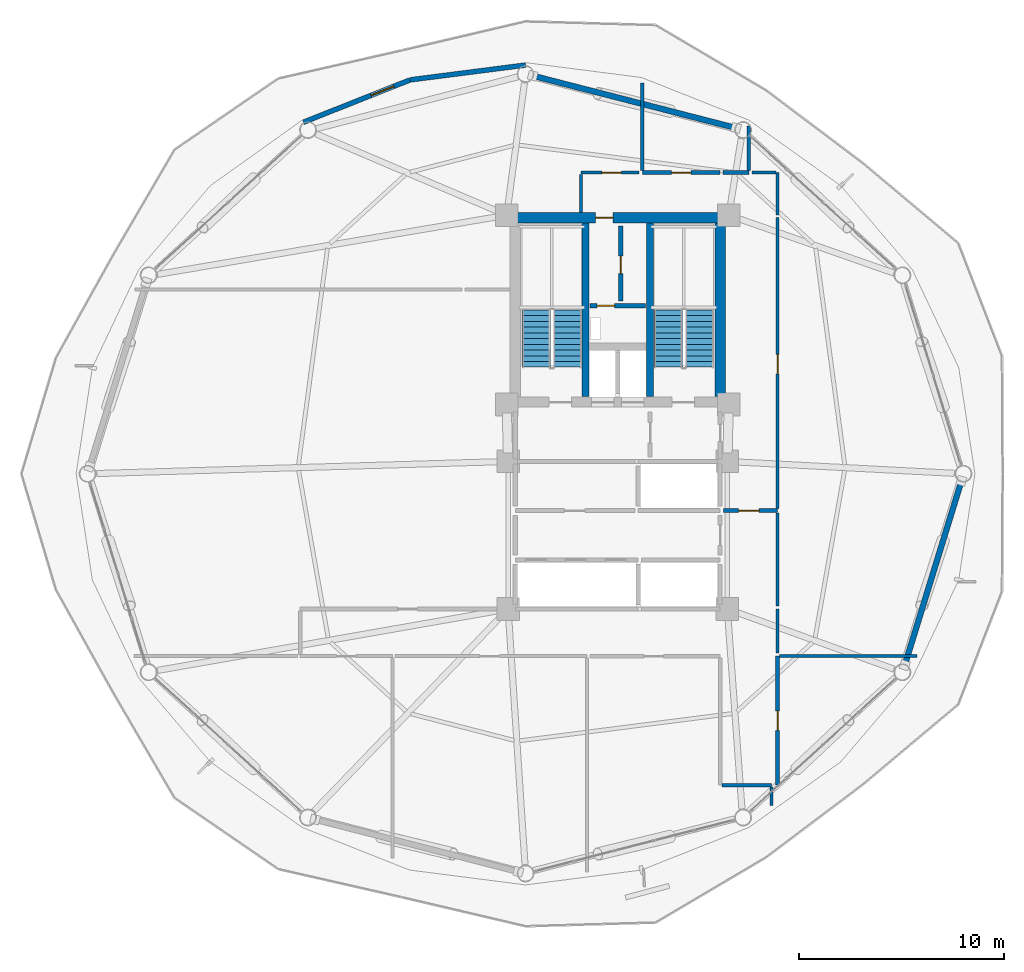
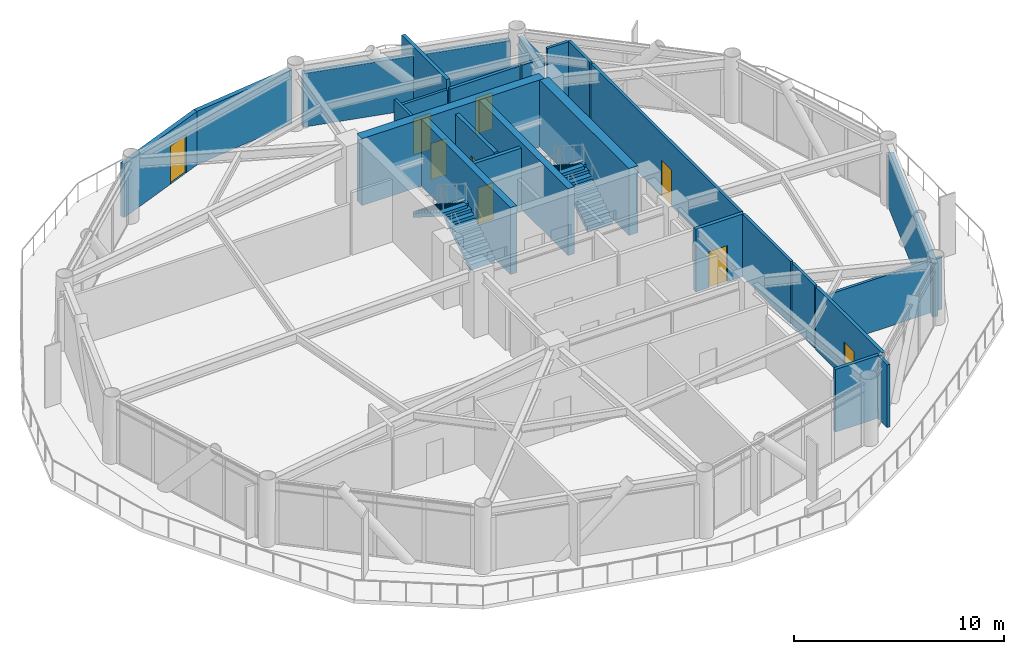
# One storey, part 20 of 23: 26 walls, 9 doors, 4 stair flights, 9 openings, 2 elements without a shape of their own.
"""IFC4 building model written with IfcOpenShell, lengths in metres."""

from ifc_helpers import new_model, si_unit, direction, frame, frame_2d, origin, place, context, subcontext, project, spatial, polyline, rectangle, outline, extrude, material, layer, layer_set, type_object, element, fill, aggregate, save


model = new_model("IFC4")

# Units and contexts
model_context = context("Model", 3, precision=1e-05, world=origin(), true_north=direction((0.0, 1.0)))
body_context = subcontext(model_context, "Body", "Model", "MODEL_VIEW")
ifc_project = project(units=[si_unit("LENGTHUNIT", "METRE"), si_unit("AREAUNIT", "SQUARE_METRE"), si_unit("VOLUMEUNIT", "CUBIC_METRE"), si_unit("PLANEANGLEUNIT", "RADIAN"), si_unit("MASSUNIT", "GRAM", prefix="KILO")], contexts=[model_context])

# Site, building, storey
site_placement = place(None, origin())
site = spatial("IfcSite", under=ifc_project, at=site_placement, CompositionType="ELEMENT")
building_placement = place(site_placement, origin())
building = spatial("IfcBuilding", under=site, at=building_placement, Name="Varnakorn Sky Granary", CompositionType="ELEMENT")
storey_placement = place(building_placement, frame((0.0, 0.0, 114.89990234375)))
storey = spatial("IfcBuildingStorey", under=building, at=storey_placement, Name="L28", CompositionType="ELEMENT", Elevation=114.89990234375)

# Walls
ifc_material_1 = material(Name="Concrete C50/60", Category="concrete")
ifc_layer_1 = layer(ifc_material_1, 0.35009765625, Name="Concrete C50/60")
ifc_layer_set_1 = layer_set([ifc_layer_1], Name="Concrete C50/60")
wall_type_1 = type_object("IfcWallType", Name="WT-CW-INT-350", PredefinedType="SHEAR", material=ifc_layer_set_1)
for number, where, z_axis, x_axis, name in (
    (1, (1.419921875, 3.760009765625, 0.0), (0.0, 0.0, 1.0), (0.0, 1.0, 0.0), "Stair ST-1 Core Wall L28"),
    (2, (4.580078125, 3.760009765625, 0.0), (0.0, 0.0, 1.0), (0.0, 1.0, 0.0), "Stair ST-2 Core Wall L28"),
):
    element("IfcWall", number, at=place(storey_placement, frame(where, z_axis=z_axis, x_axis=x_axis)), inside=storey, type_object=wall_type_1, Name=name, PredefinedType="SHEAR", context=body_context, shape_type="SweptSolid", body=[
        extrude(rectangle(XDim=8.47998046875, YDim=0.35009765625, at=frame_2d((4.239990234375, 0.0))), origin(), (0.0, 0.0, 1.0), 3.89208984375),
    ])

# Wall, opening, door
ifc_material_2 = material(Name="Concrete C60/75", Category="concrete")
ifc_layer_2 = layer(ifc_material_2, 0.5, Name="Concrete C60/75")
ifc_layer_set_2 = layer_set([ifc_layer_2], Name="Concrete C60/75")
wall_type_2 = type_object("IfcWallType", Name="WT-CW-SHEAR-500", PredefinedType="SHEAR", material=ifc_layer_set_2)
wall_1_placement = place(storey_placement, frame((-2.0, 12.5, 0.0), z_axis=(0.0, 0.0, 1.0), x_axis=(1.0, 0.0, 0.0)))
wall_1 = element("IfcWall", 3, at=wall_1_placement, inside=storey, type_object=wall_type_2, Name="Core North Shear Wall L28", PredefinedType="SHEAR", context=body_context, shape_type="SweptSolid", body=[
    extrude(rectangle(XDim=10.0, YDim=0.5, at=frame_2d((5.0, 0.0))), origin(), (0.0, 0.0, 1.0), 3.89208984375),
])
opening_1_placement = place(wall_1_placement, frame((3.919921875, 0.0, 0.0)))
opening_1 = element("IfcOpeningElement", 4, at=opening_1_placement, cuts=wall_1, Name="Opening FD-60N", PredefinedType="OPENING", context=body_context, shape_type="SweptSolid", body=[
    extrude(rectangle(XDim=0.85009765625, YDim=2.10009765625, at=frame_2d((0.425048828125, 1.050048828125))), frame((0.0, 0.260009765625, 0.0), z_axis=(0.0, -1.0, 0.0), x_axis=(1.0, 0.0, 0.0)), (0.0, 0.0, 1.0), 0.52001953125),
])
ifc_material_3 = material(Name="Acoustic Timber Fire Leaf", Category="wood")
door_type_1 = type_object("IfcDoorType", Name="DR-FD60-850", OperationType="NOTDEFINED", PredefinedType="DOOR", material=ifc_material_3)
door_1_placement = place(opening_1_placement, origin())
door_1 = element("IfcDoor", 5, at=door_1_placement, inside=storey, type_object=door_type_1, Name="Core North Service Door L28", OperationType="SINGLE_SWING_RIGHT", OverallHeight=2.10009765625, OverallWidth=0.85009765625, PredefinedType="DOOR", context=body_context, shape_type="SweptSolid", body=[
    extrude(rectangle(XDim=0.85009765625, YDim=2.10009765625, at=frame_2d((0.425048828125, 1.050048828125))), frame((0.0, 0.02490234375, 0.0), z_axis=(0.0, -1.0, 0.0), x_axis=(1.0, 0.0, 0.0)), (0.0, 0.0, 1.0), 0.050048828125),
])
fill(opening_1, door_1)

# Walls
wall_2_placement = place(storey_placement, frame((8.0, 3.760009765625, 0.0), z_axis=(0.0, 0.0, 1.0), x_axis=(0.0, 1.0, 0.0)))
element("IfcWall", 6, at=wall_2_placement, inside=storey, type_object=wall_type_2, Name="Core East Shear Wall L28", PredefinedType="SHEAR", context=body_context, shape_type="SweptSolid", body=[
    extrude(rectangle(XDim=8.47998046875, YDim=0.5, at=frame_2d((4.239990234375, 0.0))), origin(), (0.0, 0.0, 1.0), 3.89208984375),
])
ifc_material_4 = material(Name="Precast concrete C40/50", Category="concrete")
ifc_layer_3 = layer(ifc_material_4, 0.239990234375, Name="Precast concrete C40/50")
ifc_layer_set_3 = layer_set([ifc_layer_3], Name="Precast concrete C40/50")
wall_type_3 = type_object("IfcWallType", Name="WT-EW-BAL-260", PredefinedType="SOLIDWALL", material=ifc_layer_set_3)
wall_3_placement = place(storey_placement, frame((-7.134033203125, 19.223876953125, 0.0), z_axis=(0.0, 0.0, 1.0), x_axis=(0.991863166432, 0.12730851926, 0.0)))
element("IfcWall", 7, at=wall_3_placement, inside=storey, type_object=wall_type_3, Name="Balcony Threshold Facade Wall L28-B04A", PredefinedType="SOLIDWALL", context=body_context, shape_type="SweptSolid", body=[
    extrude(rectangle(XDim=5.68017578125, YDim=0.239990234375, at=frame_2d((2.840087890625, 0.0))), origin(), (0.0, 0.0, 1.0), 3.110107421875),
])

# Wall, opening, door
wall_4_placement = place(storey_placement, frame((-12.339111328125, 17.15771484375, 0.0), z_axis=(0.0, 0.0, 1.0), x_axis=(0.929450612098, 0.368946553949, 0.0)))
wall_4 = element("IfcWall", 8, at=wall_4_placement, inside=storey, type_object=wall_type_3, Name="Balcony Return Facade Wall L28-B04B", PredefinedType="SOLIDWALL", context=body_context, shape_type="SweptSolid", body=[
    extrude(rectangle(XDim=5.60009765625, YDim=0.239990234375, at=frame_2d((2.800048828125, 0.0))), origin(), (0.0, 0.0, 1.0), 3.110107421875),
])
opening_2_placement = place(wall_4_placement, frame((3.550048828125, 0.0, 0.0)))
opening_2 = element("IfcOpeningElement", 9, at=opening_2_placement, cuts=wall_4, Name="Opening BD-01", PredefinedType="OPENING", context=body_context, shape_type="SweptSolid", body=[
    extrude(rectangle(XDim=1.199951171875, YDim=2.199951171875, at=frame_2d((0.60009765625, 1.10009765625))), frame((0.0, 0.1298828125, 0.0), z_axis=(0.0, -1.0, 0.0), x_axis=(1.0, 0.0, 0.0)), (0.0, 0.0, 1.0), 0.260009765625),
])
ifc_material_5 = material(Name="Anodised Bronze Aluminium Alloy 6063-T6", Category="aluminium")
door_type_2 = type_object("IfcDoorType", Name="DR-BAL-1200", OperationType="NOTDEFINED", PredefinedType="DOOR", material=ifc_material_5)
door_2_placement = place(opening_2_placement, origin())
door_2 = element("IfcDoor", 10, at=door_2_placement, inside=storey, type_object=door_type_2, Name="Sky-Farm Balcony Access Door L28", OperationType="SINGLE_SWING_RIGHT", OverallHeight=2.199951171875, OverallWidth=1.199951171875, PredefinedType="DOOR", context=body_context, shape_type="SweptSolid", body=[
    extrude(rectangle(XDim=1.199951171875, YDim=2.199951171875, at=frame_2d((0.60009765625, 1.10009765625))), frame((0.0, 0.02490234375, 0.0), z_axis=(0.0, -1.0, 0.0), x_axis=(1.0, 0.0, 0.0)), (0.0, 0.0, 1.0), 0.050048828125),
])
fill(opening_2, door_2)

# Walls
ifc_layer_4 = layer(ifc_material_4, 0.280029296875, Name="Precast concrete C40/50")
ifc_layer_set_4 = layer_set([ifc_layer_4], Name="Precast concrete C40/50")
wall_type_4 = type_object("IfcWallType", Name="WT-EW-CRN-280", PredefinedType="SOLIDWALL", material=ifc_layer_set_4)
wall_5_placement = place(storey_placement, frame((-1.14990234375, 19.427001953125, 0.0), z_axis=(0.0, 0.0, 1.0), x_axis=(0.968494902895, -0.249033377413, 0.0)))
element("IfcWall", 11, at=wall_5_placement, inside=storey, type_object=wall_type_4, Name="Agritech Insulated Precast Facade Wall L28-P03", PredefinedType="SOLIDWALL", context=body_context, shape_type="SweptSolid", body=[
    extrude(rectangle(XDim=10.24658203125, YDim=0.280029296875, at=frame_2d((5.123291015625, 0.0))), origin(), (0.0, 0.0, 1.0), 3.110107421875),
])
wall_6_placement = place(storey_placement, frame((19.776611328125, -0.345458984375, 0.0), z_axis=(0.0, 0.0, 1.0), x_axis=(-0.294067629588, -0.955784614455, 0.0)))
element("IfcWall", 12, at=wall_6_placement, inside=storey, type_object=wall_type_4, Name="Agritech Insulated Precast Facade Wall L28-P12", PredefinedType="SOLIDWALL", context=body_context, shape_type="SweptSolid", body=[
    extrude(rectangle(XDim=9.416259765625, YDim=0.280029296875, at=frame_2d((4.7080078125, 0.0))), origin(), (0.0, 0.0, 1.0), 3.110107421875),
])

# Wall, opening, door
ifc_material_6 = material(Name="Autoclaved Aerated Concrete Blockwork", Category="masonry")
ifc_layer_5 = layer(ifc_material_6, 0.199951171875, Name="Autoclaved Aerated Concrete Blockwork")
ifc_layer_set_5 = layer_set([ifc_layer_5], Name="Autoclaved Aerated Concrete Blockwork")
wall_type_5 = type_object("IfcWallType", Name="WT-FIRE-200", PredefinedType="MOVABLE", material=ifc_layer_set_5)
wall_7_placement = place(storey_placement, frame((1.64990234375, 8.199951171875, 0.0), z_axis=(0.0, 0.0, 1.0), x_axis=(1.0, 0.0, 0.0)))
wall_7 = element("IfcWall", 13, at=wall_7_placement, inside=storey, type_object=wall_type_5, Name="Interior Partition Wall L28-013", PredefinedType="MOVABLE", context=body_context, shape_type="SweptSolid", body=[
    extrude(rectangle(XDim=2.7001953125, YDim=0.199951171875, at=frame_2d((1.35009765625, 0.0))), origin(), (0.0, 0.0, 1.0), 3.64013671875),
])
opening_3_placement = place(wall_7_placement, frame((0.35009765625, 0.0, 0.0)))
opening_3 = element("IfcOpeningElement", 14, at=opening_3_placement, cuts=wall_7, Name="Opening FD-60N", PredefinedType="OPENING", context=body_context, shape_type="SweptSolid", body=[
    extrude(rectangle(XDim=0.85009765625, YDim=2.10009765625, at=frame_2d((0.425048828125, 1.050048828125))), frame((0.0, 0.10986328125, 0.0), z_axis=(0.0, -1.0, 0.0), x_axis=(1.0, 0.0, 0.0)), (0.0, 0.0, 1.0), 0.219970703125),
])
door_3_placement = place(opening_3_placement, origin())
door_3 = element("IfcDoor", 15, at=door_3_placement, inside=storey, type_object=door_type_1, Name="Interior Door L28-013-1", OperationType="SINGLE_SWING_LEFT", OverallHeight=2.10009765625, OverallWidth=0.85009765625, PredefinedType="DOOR", context=body_context, shape_type="SweptSolid", body=[
    extrude(rectangle(XDim=0.85009765625, YDim=2.10009765625, at=frame_2d((0.425048828125, 1.050048828125))), frame((0.0, 0.02490234375, 0.0), z_axis=(0.0, -1.0, 0.0), x_axis=(1.0, 0.0, 0.0)), (0.0, 0.0, 1.0), 0.050048828125),
])
fill(opening_3, door_3)

wall_8_placement = place(storey_placement, frame((3.14990234375, 8.429931640625, 0.0), z_axis=(0.0, 0.0, 1.0), x_axis=(0.0, 1.0, 0.0)))
wall_8 = element("IfcWall", 16, at=wall_8_placement, inside=storey, type_object=wall_type_5, Name="Interior Partition Wall L28-014", PredefinedType="MOVABLE", context=body_context, shape_type="SweptSolid", body=[
    extrude(rectangle(XDim=3.670166015625, YDim=0.199951171875, at=frame_2d((1.8349609375, 0.0))), origin(), (0.0, 0.0, 1.0), 3.64013671875),
])
opening_4_placement = place(wall_8_placement, frame((1.340087890625, 0.0, 0.0)))
opening_4 = element("IfcOpeningElement", 17, at=opening_4_placement, cuts=wall_8, Name="Opening FD-60N", PredefinedType="OPENING", context=body_context, shape_type="SweptSolid", body=[
    extrude(rectangle(XDim=0.85009765625, YDim=2.10009765625, at=frame_2d((0.425048828125, 1.050048828125))), frame((0.0, 0.10986328125, 0.0), z_axis=(0.0, -1.0, 0.0), x_axis=(1.0, 0.0, 0.0)), (0.0, 0.0, 1.0), 0.219970703125),
])
door_4_placement = place(opening_4_placement, origin())
door_4 = element("IfcDoor", 18, at=door_4_placement, inside=storey, type_object=door_type_1, Name="Interior Door L28-014-1", OperationType="SINGLE_SWING_RIGHT", OverallHeight=2.10009765625, OverallWidth=0.85009765625, PredefinedType="DOOR", context=body_context, shape_type="SweptSolid", body=[
    extrude(rectangle(XDim=0.85009765625, YDim=2.10009765625, at=frame_2d((0.425048828125, 1.050048828125))), frame((0.0, 0.02490234375, 0.0), z_axis=(0.0, -1.0, 0.0), x_axis=(1.0, 0.0, 0.0)), (0.0, 0.0, 1.0), 0.050048828125),
])
fill(opening_4, door_4)

wall_9_placement = place(storey_placement, frame((8.159912109375, -1.800048828125, 0.0), z_axis=(0.0, 0.0, 1.0), x_axis=(1.0, 0.0, 0.0)))
wall_9 = element("IfcWall", 19, at=wall_9_placement, inside=storey, type_object=wall_type_5, Name="Interior Partition Wall L28-019", PredefinedType="MOVABLE", context=body_context, shape_type="SweptSolid", body=[
    extrude(rectangle(XDim=2.64013671875, YDim=0.199951171875, at=frame_2d((1.320068359375, 0.0))), origin(), (0.0, 0.0, 1.0), 3.64013671875),
])
opening_5_placement = place(wall_9_placement, frame((0.739990234375, 0.0, 0.0)))
opening_5 = element("IfcOpeningElement", 20, at=opening_5_placement, cuts=wall_9, Name="Opening FD-60", PredefinedType="OPENING", context=body_context, shape_type="SweptSolid", body=[
    extrude(rectangle(XDim=1.0, YDim=2.10009765625, at=frame_2d((0.5, 1.050048828125))), frame((0.0, 0.10986328125, 0.0), z_axis=(0.0, -1.0, 0.0), x_axis=(1.0, 0.0, 0.0)), (0.0, 0.0, 1.0), 0.219970703125),
])
door_type_3 = type_object("IfcDoorType", Name="DR-FD60-1000", OperationType="NOTDEFINED", PredefinedType="DOOR", material=ifc_material_3)
door_5_placement = place(opening_5_placement, origin())
door_5 = element("IfcDoor", 21, at=door_5_placement, inside=storey, type_object=door_type_3, Name="Interior Door L28-019-1", OperationType="SINGLE_SWING_LEFT", OverallHeight=2.10009765625, OverallWidth=1.0, PredefinedType="DOOR", context=body_context, shape_type="SweptSolid", body=[
    extrude(rectangle(XDim=1.0, YDim=2.10009765625, at=frame_2d((0.5, 1.050048828125))), frame((0.0, 0.02490234375, 0.0), z_axis=(0.0, -1.0, 0.0), x_axis=(1.0, 0.0, 0.0)), (0.0, 0.0, 1.0), 0.050048828125),
])
fill(opening_5, door_5)

ifc_material_7 = material(Name="Gypsum Plasterboard on Steel Stud", Category="steel")
ifc_layer_6 = layer(ifc_material_7, 0.14990234375, Name="Gypsum Plasterboard on Steel Stud")
ifc_layer_set_6 = layer_set([ifc_layer_6], Name="Gypsum Plasterboard on Steel Stud")
wall_type_6 = type_object("IfcWallType", Name="WT-PART-150", PredefinedType="PARTITIONING", material=ifc_layer_set_6)
wall_10_placement = place(storey_placement, frame((4.050048828125, 14.699951171875, 0.0), z_axis=(0.0, 0.0, 1.0), x_axis=(-1.0, 0.0, 0.0)))
wall_10 = element("IfcWall", 22, at=wall_10_placement, inside=storey, type_object=wall_type_6, Name="Interior Partition Wall L28-026", PredefinedType="PARTITIONING", context=body_context, shape_type="SweptSolid", body=[
    extrude(rectangle(XDim=2.85009765625, YDim=0.14990234375, at=frame_2d((1.425048828125, 0.0))), origin(), (0.0, 0.0, 1.0), 3.172119140625),
])
opening_6_placement = place(wall_10_placement, frame((0.875, 0.0, 0.0)))
opening_6 = element("IfcOpeningElement", 23, at=opening_6_placement, cuts=wall_10, Name="Opening ID-95", PredefinedType="OPENING", context=body_context, shape_type="SweptSolid", body=[
    extrude(rectangle(XDim=0.949951171875, YDim=2.10009765625, at=frame_2d((0.47509765625, 1.050048828125))), frame((0.0, 0.0849609375, 0.0), z_axis=(0.0, -1.0, 0.0), x_axis=(1.0, 0.0, 0.0)), (0.0, 0.0, 1.0), 0.169921875),
])
ifc_material_8 = material(Name="Solid-Core Teak Veneer Leaf", Category="timber")
door_type_4 = type_object("IfcDoorType", Name="DR-INT-950", OperationType="NOTDEFINED", PredefinedType="DOOR", material=ifc_material_8)
door_6_placement = place(opening_6_placement, origin())
door_6 = element("IfcDoor", 24, at=door_6_placement, inside=storey, type_object=door_type_4, Name="Interior Door L28-026-1", OperationType="SINGLE_SWING_RIGHT", OverallHeight=2.10009765625, OverallWidth=0.949951171875, PredefinedType="DOOR", context=body_context, shape_type="SweptSolid", body=[
    extrude(rectangle(XDim=0.949951171875, YDim=2.10009765625, at=frame_2d((0.47509765625, 1.050048828125))), frame((0.0, 0.02490234375, 0.0), z_axis=(0.0, -1.0, 0.0), x_axis=(1.0, 0.0, 0.0)), (0.0, 0.0, 1.0), 0.050048828125),
])
fill(opening_6, door_6)

wall_11_placement = place(storey_placement, frame((10.800048828125, -1.68994140625, 0.0), z_axis=(0.0, 0.0, 1.0), x_axis=(0.0, 1.0, 0.0)))
wall_11 = element("IfcWall", 25, at=wall_11_placement, inside=storey, type_object=wall_type_6, Name="Interior Partition Wall L28-027", PredefinedType="PARTITIONING", context=body_context, shape_type="SweptSolid", body=[
    extrude(rectangle(XDim=14.18994140625, YDim=0.14990234375, at=frame_2d((7.094970703125, 0.0))), origin(), (0.0, 0.0, 1.0), 3.64013671875),
])
opening_7_placement = place(wall_11_placement, frame((6.56494140625, 0.0, 0.0)))
opening_7 = element("IfcOpeningElement", 26, at=opening_7_placement, cuts=wall_11, Name="Opening ID-95", PredefinedType="OPENING", context=body_context, shape_type="SweptSolid", body=[
    extrude(rectangle(XDim=0.949951171875, YDim=2.10009765625, at=frame_2d((0.47509765625, 1.050048828125))), frame((0.0, 0.0849609375, 0.0), z_axis=(0.0, -1.0, 0.0), x_axis=(1.0, 0.0, 0.0)), (0.0, 0.0, 1.0), 0.169921875),
])
door_7_placement = place(opening_7_placement, origin())
door_7 = element("IfcDoor", 27, at=door_7_placement, inside=storey, type_object=door_type_4, Name="Interior Door L28-027-1", OperationType="SINGLE_SWING_LEFT", OverallHeight=2.10009765625, OverallWidth=0.949951171875, PredefinedType="DOOR", context=body_context, shape_type="SweptSolid", body=[
    extrude(rectangle(XDim=0.949951171875, YDim=2.10009765625, at=frame_2d((0.47509765625, 1.050048828125))), frame((0.0, 0.02490234375, 0.0), z_axis=(0.0, -1.0, 0.0), x_axis=(1.0, 0.0, 0.0)), (0.0, 0.0, 1.0), 0.050048828125),
])
fill(opening_7, door_7)

# Walls
wall_12_placement = place(storey_placement, frame((10.5, -15.300048828125, 0.0), z_axis=(0.0, 0.0, 1.0), x_axis=(0.0, -1.0, 0.0)))
element("IfcWall", 28, at=wall_12_placement, inside=storey, type_object=wall_type_6, Name="Interior Partition Wall L28-038", PredefinedType="PARTITIONING", context=body_context, shape_type="SweptSolid", body=[
    extrude(rectangle(XDim=0.883056640625, YDim=0.14990234375, at=frame_2d((0.44140625, 0.0))), origin(), (0.0, 0.0, 1.0), 3.64013671875),
])
wall_13_placement = place(storey_placement, frame((10.89990234375, -8.89990234375, 0.0), z_axis=(0.0, 0.0, 1.0), x_axis=(1.0, 0.0, 0.0)))
element("IfcWall", 29, at=wall_13_placement, inside=storey, type_object=wall_type_6, Name="Interior Partition Wall L28-039", PredefinedType="PARTITIONING", context=body_context, shape_type="SweptSolid", body=[
    extrude(rectangle(XDim=6.718017578125, YDim=0.14990234375, at=frame_2d((3.35888671875, 0.0))), origin(), (0.0, 0.0, 1.0), 3.022216796875),
])
wall_14_placement = place(storey_placement, frame((1.199951171875, 14.614990234375, 0.0), z_axis=(0.0, 0.0, 1.0), x_axis=(0.0, -1.0, 0.0)))
element("IfcWall", 30, at=wall_14_placement, inside=storey, type_object=wall_type_6, Name="Interior Partition Wall L28-043", PredefinedType="PARTITIONING", context=body_context, shape_type="SweptSolid", body=[
    extrude(rectangle(XDim=1.85498046875, YDim=0.14990234375, at=frame_2d((0.927490234375, 0.0))), origin(), (0.0, 0.0, 1.0), 3.64013671875),
])
wall_15_placement = place(storey_placement, frame((10.800048828125, 12.635009765625, 0.0), z_axis=(0.0, 0.0, 1.0), x_axis=(0.0, 1.0, 0.0)))
element("IfcWall", 31, at=wall_15_placement, inside=storey, type_object=wall_type_6, Name="Interior Partition Wall L28-045", PredefinedType="PARTITIONING", context=body_context, shape_type="SweptSolid", body=[
    extrude(rectangle(XDim=2.06494140625, YDim=0.14990234375, at=frame_2d((1.032470703125, 0.0))), origin(), (0.0, 0.0, 1.0), 3.64013671875),
])
wall_16_placement = place(storey_placement, frame((10.715087890625, 14.699951171875, 0.0), z_axis=(0.0, 0.0, 1.0), x_axis=(-1.0, 0.0, 0.0)))
element("IfcWall", 32, at=wall_16_placement, inside=storey, type_object=wall_type_6, Name="Interior Partition Wall L28-046", PredefinedType="PARTITIONING", context=body_context, shape_type="SweptSolid", body=[
    extrude(rectangle(XDim=1.1650390625, YDim=0.14990234375, at=frame_2d((0.58251953125, 0.0))), origin(), (0.0, 0.0, 1.0), 3.64013671875),
])
wall_17_placement = place(storey_placement, frame((10.800048828125, -8.75, 0.0), z_axis=(0.0, 0.0, 1.0), x_axis=(0.0, 1.0, 0.0)))
element("IfcWall", 33, at=wall_17_placement, inside=storey, type_object=wall_type_6, Name="Interior Partition Wall L28-047", PredefinedType="PARTITIONING", context=body_context, shape_type="SweptSolid", body=[
    extrude(rectangle(XDim=2.14990234375, YDim=0.14990234375, at=frame_2d((1.074951171875, 0.0))), origin(), (0.0, 0.0, 1.0), 3.64013671875),
])
wall_18_placement = place(storey_placement, frame((10.800048828125, -6.465087890625, 0.0), z_axis=(0.0, 0.0, 1.0), x_axis=(0.0, 1.0, 0.0)))
element("IfcWall", 34, at=wall_18_placement, inside=storey, type_object=wall_type_6, Name="Interior Partition Wall L28-048", PredefinedType="PARTITIONING", context=body_context, shape_type="SweptSolid", body=[
    extrude(rectangle(XDim=4.55517578125, YDim=0.14990234375, at=frame_2d((2.277587890625, 0.0))), origin(), (0.0, 0.0, 1.0), 3.64013671875),
])

# Wall, opening, door
ifc_material_9 = material(Name="Moisture-Resistant Gypsum on Stud", Category="gypsum")
ifc_layer_7 = layer(ifc_material_9, 0.179931640625, Name="Moisture-Resistant Gypsum on Stud")
ifc_layer_set_7 = layer_set([ifc_layer_7], Name="Moisture-Resistant Gypsum on Stud")
wall_type_7 = type_object("IfcWallType", Name="WT-PLUMB-180", PredefinedType="PLUMBINGWALL", material=ifc_layer_set_7)
wall_19_placement = place(storey_placement, frame((8.0, 14.699951171875, 0.0), z_axis=(0.0, 0.0, 1.0), x_axis=(-1.0, 0.0, 0.0)))
wall_19 = element("IfcWall", 35, at=wall_19_placement, inside=storey, type_object=wall_type_7, Name="Interior Partition Wall L28-020", PredefinedType="PLUMBINGWALL", context=body_context, shape_type="SweptSolid", body=[
    extrude(rectangle(XDim=3.800048828125, YDim=0.179931640625, at=frame_2d((1.89990234375, 0.0))), origin(), (0.0, 0.0, 1.0), 3.172119140625),
])
opening_8_placement = place(wall_19_placement, frame((1.425048828125, 0.0, 0.0)))
opening_8 = element("IfcOpeningElement", 36, at=opening_8_placement, cuts=wall_19, Name="Opening ID-95", PredefinedType="OPENING", context=body_context, shape_type="SweptSolid", body=[
    extrude(rectangle(XDim=0.949951171875, YDim=2.10009765625, at=frame_2d((0.47509765625, 1.050048828125))), frame((0.0, 0.10009765625, 0.0), z_axis=(0.0, -1.0, 0.0), x_axis=(1.0, 0.0, 0.0)), (0.0, 0.0, 1.0), 0.199951171875),
])
door_8_placement = place(opening_8_placement, origin())
door_8 = element("IfcDoor", 37, at=door_8_placement, inside=storey, type_object=door_type_4, Name="Interior Door L28-020-1", OperationType="SINGLE_SWING_RIGHT", OverallHeight=2.10009765625, OverallWidth=0.949951171875, PredefinedType="DOOR", context=body_context, shape_type="SweptSolid", body=[
    extrude(rectangle(XDim=0.949951171875, YDim=2.10009765625, at=frame_2d((0.47509765625, 1.050048828125))), frame((0.0, 0.02490234375, 0.0), z_axis=(0.0, -1.0, 0.0), x_axis=(1.0, 0.0, 0.0)), (0.0, 0.0, 1.0), 0.050048828125),
])
fill(opening_8, door_8)

wall_20_placement = place(storey_placement, frame((10.800048828125, -15.199951171875, 0.0), z_axis=(0.0, 0.0, 1.0), x_axis=(0.0, 1.0, 0.0)))
wall_20 = element("IfcWall", 38, at=wall_20_placement, inside=storey, type_object=wall_type_7, Name="Interior Partition Wall L28-024", PredefinedType="PLUMBINGWALL", context=body_context, shape_type="SweptSolid", body=[
    extrude(rectangle(XDim=6.300048828125, YDim=0.179931640625, at=frame_2d((3.14990234375, 0.0))), origin(), (0.0, 0.0, 1.0), 3.64013671875),
])
opening_9_placement = place(wall_20_placement, frame((2.675048828125, 0.0, 0.0)))
opening_9 = element("IfcOpeningElement", 39, at=opening_9_placement, cuts=wall_20, Name="Opening ID-95", PredefinedType="OPENING", context=body_context, shape_type="SweptSolid", body=[
    extrude(rectangle(XDim=0.949951171875, YDim=2.10009765625, at=frame_2d((0.47509765625, 1.050048828125))), frame((0.0, 0.10009765625, 0.0), z_axis=(0.0, -1.0, 0.0), x_axis=(1.0, 0.0, 0.0)), (0.0, 0.0, 1.0), 0.199951171875),
])
door_9_placement = place(opening_9_placement, origin())
door_9 = element("IfcDoor", 40, at=door_9_placement, inside=storey, type_object=door_type_4, Name="Interior Door L28-024-1", OperationType="SINGLE_SWING_RIGHT", OverallHeight=2.10009765625, OverallWidth=0.949951171875, PredefinedType="DOOR", context=body_context, shape_type="SweptSolid", body=[
    extrude(rectangle(XDim=0.949951171875, YDim=2.10009765625, at=frame_2d((0.47509765625, 1.050048828125))), frame((0.0, 0.02490234375, 0.0), z_axis=(0.0, -1.0, 0.0), x_axis=(1.0, 0.0, 0.0)), (0.0, 0.0, 1.0), 0.050048828125),
])
fill(opening_9, door_9)

# Walls
wall_21_placement = place(storey_placement, frame((9.39990234375, 14.699951171875, 0.0), z_axis=(0.0, 0.0, 1.0), x_axis=(-1.0, 0.0, 0.0)))
element("IfcWall", 41, at=wall_21_placement, inside=storey, type_object=wall_type_7, Name="Interior Partition Wall L28-032", PredefinedType="PLUMBINGWALL", context=body_context, shape_type="SweptSolid", body=[
    extrude(rectangle(XDim=1.25, YDim=0.179931640625, at=frame_2d((0.625, 0.0))), origin(), (0.0, 0.0, 1.0), 3.172119140625),
])
wall_22_placement = place(storey_placement, frame((8.10009765625, -15.199951171875, 0.0), z_axis=(0.0, 0.0, 1.0), x_axis=(1.0, 0.0, 0.0)))
element("IfcWall", 42, at=wall_22_placement, inside=storey, type_object=wall_type_7, Name="Interior Partition Wall L28-037", PredefinedType="PLUMBINGWALL", context=body_context, shape_type="SweptSolid", body=[
    extrude(rectangle(XDim=2.39990234375, YDim=0.179931640625, at=frame_2d((1.199951171875, 0.0))), origin(), (0.0, 0.0, 1.0), 3.64013671875),
])
wall_23_placement = place(storey_placement, frame((4.199951171875, 19.069091796875, 0.0), z_axis=(0.0, 0.0, 1.0), x_axis=(0.0, -1.0, 0.0)))
element("IfcWall", 43, at=wall_23_placement, inside=storey, type_object=wall_type_7, Name="Interior Partition Wall L28-044", PredefinedType="PLUMBINGWALL", context=body_context, shape_type="SweptSolid", body=[
    extrude(rectangle(XDim=4.26904296875, YDim=0.179931640625, at=frame_2d((2.134521484375, 0.0))), origin(), (0.0, 0.0, 1.0), 3.64013671875),
])
wall_24_placement = place(storey_placement, frame((9.39990234375, 14.800048828125, 0.0), z_axis=(0.0, 0.0, 1.0), x_axis=(0.0, 1.0, 0.0)))
element("IfcWall", 44, at=wall_24_placement, inside=storey, type_object=wall_type_7, Name="Interior Partition Wall L28-049", PredefinedType="PLUMBINGWALL", context=body_context, shape_type="SweptSolid", body=[
    extrude(rectangle(XDim=2.16796875, YDim=0.179931640625, at=frame_2d((1.083984375, 0.0))), origin(), (0.0, 0.0, 1.0), 3.022216796875),
])

# Stair, stair flights
ifc_material_10 = material(Name="Concrete C40/50", Category="concrete")
stair_type = type_object("IfcStairType", Name="ST-MAIN-ASSEMBLY", PredefinedType="HALF_TURN_STAIR", material=ifc_material_10)
stair_1_placement = place(storey_placement, origin())
stair_1 = element("IfcStair", 45, at=stair_1_placement, inside=storey, type_object=stair_type, Name="L28 Protected Exit Stair ST-1", PredefinedType="HALF_TURN_STAIR")
stair_flight_type = type_object("IfcStairFlightType", Name="ST-MAIN-FLIGHT", PredefinedType="STRAIGHT", material=ifc_material_10)
stair_flight_1_placement = place(storey_placement, frame((0.550048828125, 5.199951171875, 0.0), z_axis=(0.0, 0.0, 1.0), x_axis=(0.0, 1.0, 0.0)))
stair_flight_1 = element("IfcStairFlight", 46, at=stair_flight_1_placement, type_object=stair_flight_type, Name="ST-1 flight 1", NumberOfRisers=11, NumberOfTreads=10, PredefinedType="STRAIGHT", RiserHeight=0.177272727, TreadLength=0.28, context=body_context, shape_type="SweptSolid", body=[
    extrude(outline(polyline([(0.0, -0.14990234375), (0.0, 0.0), (0.0, 0.17724609375), (0.280029296875, 0.17724609375), (0.280029296875, 0.3544921875), (0.56005859375, 0.3544921875), (0.56005859375, 0.53173828125), (0.840087890625, 0.53173828125), (0.840087890625, 0.708984375), (1.1201171875, 0.708984375), (1.1201171875, 0.886474609375), (1.39990234375, 0.886474609375), (1.39990234375, 1.063720703125), (1.679931640625, 1.063720703125), (1.679931640625, 1.240966796875), (1.9599609375, 1.240966796875), (1.9599609375, 1.418212890625), (2.239990234375, 1.418212890625), (2.239990234375, 1.595458984375), (2.52001953125, 1.595458984375), (2.52001953125, 1.772705078125), (2.800048828125, 1.772705078125), (2.800048828125, 1.949951171875), (2.800048828125, 1.59521484375), (0.050048828125, -0.14990234375), (0.0, -0.14990234375)])), frame((0.0, 0.68994140625, 0.0), z_axis=(0.0, -1.0, 0.0), x_axis=(1.0, 0.0, 0.0)), (0.0, 0.0, 1.0), 1.3798828125),
])
stair_flight_2_placement = place(storey_placement, frame((-0.97998046875, 8.0, 1.9501953125), z_axis=(0.0, 0.0, 1.0), x_axis=(0.0, -1.0, 0.0)))
stair_flight_2 = element("IfcStairFlight", 47, at=stair_flight_2_placement, type_object=stair_flight_type, Name="ST-1 flight 2", NumberOfRisers=11, NumberOfTreads=10, PredefinedType="STRAIGHT", RiserHeight=0.177272727, TreadLength=0.28, context=body_context, shape_type="SweptSolid", body=[
    extrude(outline(polyline([(0.0, -0.14990234375), (0.0, 0.0), (0.0, 0.17724609375), (0.280029296875, 0.17724609375), (0.280029296875, 0.3544921875), (0.56005859375, 0.3544921875), (0.56005859375, 0.53173828125), (0.840087890625, 0.53173828125), (0.840087890625, 0.708984375), (1.1201171875, 0.708984375), (1.1201171875, 0.886474609375), (1.39990234375, 0.886474609375), (1.39990234375, 1.063720703125), (1.679931640625, 1.063720703125), (1.679931640625, 1.240966796875), (1.9599609375, 1.240966796875), (1.9599609375, 1.418212890625), (2.239990234375, 1.418212890625), (2.239990234375, 1.595458984375), (2.52001953125, 1.595458984375), (2.52001953125, 1.772705078125), (2.800048828125, 1.772705078125), (2.800048828125, 1.949951171875), (2.800048828125, 1.59521484375), (0.050048828125, -0.14990234375), (0.0, -0.14990234375)])), frame((0.0, 0.68994140625, 0.0), z_axis=(0.0, -1.0, 0.0), x_axis=(1.0, 0.0, 0.0)), (0.0, 0.0, 1.0), 1.3798828125),
])
aggregate(stair_1, [stair_flight_1, stair_flight_2])

stair_2_placement = place(storey_placement, origin())
stair_2 = element("IfcStair", 48, at=stair_2_placement, inside=storey, type_object=stair_type, Name="L28 Protected Exit Stair ST-2", PredefinedType="HALF_TURN_STAIR")
stair_flight_3_placement = place(storey_placement, frame((6.989990234375, 5.199951171875, 0.0), z_axis=(0.0, 0.0, 1.0), x_axis=(0.0, 1.0, 0.0)))
stair_flight_3 = element("IfcStairFlight", 49, at=stair_flight_3_placement, type_object=stair_flight_type, Name="ST-2 flight 1", NumberOfRisers=11, NumberOfTreads=10, PredefinedType="STRAIGHT", RiserHeight=0.177272727, TreadLength=0.28, context=body_context, shape_type="SweptSolid", body=[
    extrude(outline(polyline([(0.0, -0.14990234375), (0.0, 0.0), (0.0, 0.17724609375), (0.280029296875, 0.17724609375), (0.280029296875, 0.3544921875), (0.56005859375, 0.3544921875), (0.56005859375, 0.53173828125), (0.840087890625, 0.53173828125), (0.840087890625, 0.708984375), (1.1201171875, 0.708984375), (1.1201171875, 0.886474609375), (1.39990234375, 0.886474609375), (1.39990234375, 1.063720703125), (1.679931640625, 1.063720703125), (1.679931640625, 1.240966796875), (1.9599609375, 1.240966796875), (1.9599609375, 1.418212890625), (2.239990234375, 1.418212890625), (2.239990234375, 1.595458984375), (2.52001953125, 1.595458984375), (2.52001953125, 1.772705078125), (2.800048828125, 1.772705078125), (2.800048828125, 1.949951171875), (2.800048828125, 1.59521484375), (0.050048828125, -0.14990234375), (0.0, -0.14990234375)])), frame((0.0, 0.68994140625, 0.0), z_axis=(0.0, -1.0, 0.0), x_axis=(1.0, 0.0, 0.0)), (0.0, 0.0, 1.0), 1.3798828125),
])
stair_flight_4_placement = place(storey_placement, frame((5.4599609375, 8.0, 1.9501953125), z_axis=(0.0, 0.0, 1.0), x_axis=(0.0, -1.0, 0.0)))
stair_flight_4 = element("IfcStairFlight", 50, at=stair_flight_4_placement, type_object=stair_flight_type, Name="ST-2 flight 2", NumberOfRisers=11, NumberOfTreads=10, PredefinedType="STRAIGHT", RiserHeight=0.177272727, TreadLength=0.28, context=body_context, shape_type="SweptSolid", body=[
    extrude(outline(polyline([(0.0, -0.14990234375), (0.0, 0.0), (0.0, 0.17724609375), (0.280029296875, 0.17724609375), (0.280029296875, 0.3544921875), (0.56005859375, 0.3544921875), (0.56005859375, 0.53173828125), (0.840087890625, 0.53173828125), (0.840087890625, 0.708984375), (1.1201171875, 0.708984375), (1.1201171875, 0.886474609375), (1.39990234375, 0.886474609375), (1.39990234375, 1.063720703125), (1.679931640625, 1.063720703125), (1.679931640625, 1.240966796875), (1.9599609375, 1.240966796875), (1.9599609375, 1.418212890625), (2.239990234375, 1.418212890625), (2.239990234375, 1.595458984375), (2.52001953125, 1.595458984375), (2.52001953125, 1.772705078125), (2.800048828125, 1.772705078125), (2.800048828125, 1.949951171875), (2.800048828125, 1.59521484375), (0.050048828125, -0.14990234375), (0.0, -0.14990234375)])), frame((0.0, 0.68994140625, 0.0), z_axis=(0.0, -1.0, 0.0), x_axis=(1.0, 0.0, 0.0)), (0.0, 0.0, 1.0), 1.3798828125),
])
aggregate(stair_2, [stair_flight_3, stair_flight_4])

save(model, "model.ifc")
